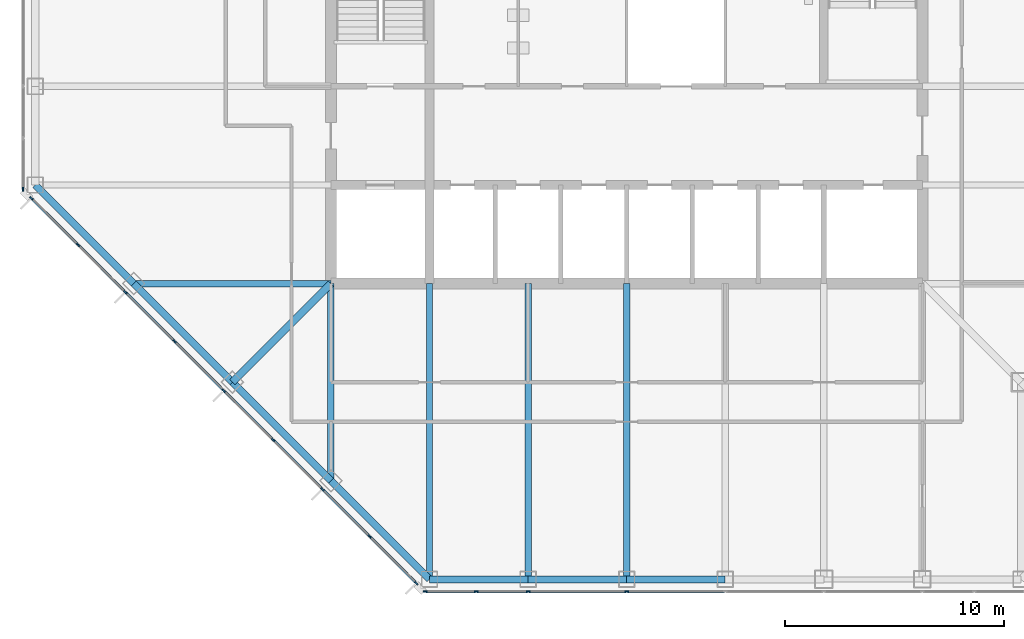
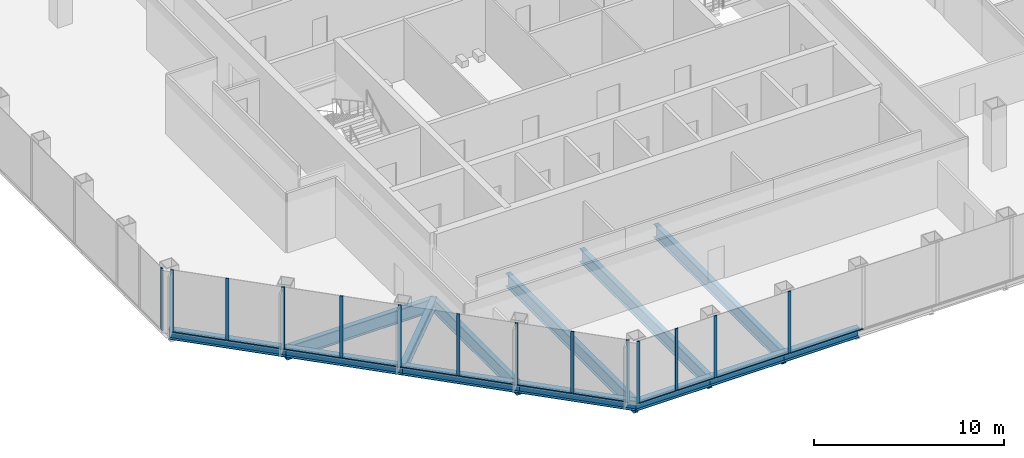
# One storey, part 2 of 12: 26 members, 13 beams, 3 elements without a shape of their own.
"""IFC4 building model written with IfcOpenShell, lengths in metres."""

from ifc_helpers import new_model, si_unit, direction, frame, origin, origin_2d, place, context, subcontext, project, spatial, rectangle, i_section, extrude, material, material_profile, profile_set, type_object, element, aggregate, save


model = new_model("IFC4")

# Units and contexts
model_context = context("Model", 3, precision=1e-05, world=origin(), true_north=direction((0.0, 1.0)))
body_context = subcontext(model_context, "Body", "Model", "MODEL_VIEW")
ifc_project = project(units=[si_unit("LENGTHUNIT", "METRE"), si_unit("AREAUNIT", "SQUARE_METRE"), si_unit("VOLUMEUNIT", "CUBIC_METRE"), si_unit("PLANEANGLEUNIT", "RADIAN"), si_unit("MASSUNIT", "GRAM", prefix="KILO")], contexts=[model_context])

# Site, building, storey
site_placement = place(None, origin())
site = spatial("IfcSite", under=ifc_project, at=site_placement, CompositionType="ELEMENT")
building_placement = place(site_placement, origin())
building = spatial("IfcBuilding", under=site, at=building_placement, Name="Corais Broadcast Tower", CompositionType="ELEMENT")
storey_placement = place(building_placement, frame((0.0, 0.0, 139.60009765625)))
storey = spatial("IfcBuildingStorey", under=building, at=storey_placement, Name="L31", CompositionType="ELEMENT", Elevation=139.60009765625)

# Beams
ifc_material_1 = material(Name="Steel ASTM A572 Grade 50", Category="steel")
ifc_material_profile_1 = material_profile(ifc_material_1, i_section(OverallWidth=0.323974609375, OverallDepth=0.611083984375, WebThickness=0.0126953125, FlangeThickness=0.01904296875, at=origin_2d()), Name="W610x155")
ifc_profile_set_1 = profile_set([ifc_material_profile_1], Name="Steel ASTM A572 Grade 50")
beam_type_1 = type_object("IfcBeamType", Name="Corner diagonal W610x155", PredefinedType="BEAM", material=ifc_profile_set_1)
beam_1_placement = place(storey_placement, frame((9.0, 9.0, -0.465576171875), z_axis=(0.707106781187, 0.707106781187, 0.0), x_axis=(-0.707106781187, 0.707106781187, 0.0)))
element("IfcBeam", 1, at=beam_1_placement, inside=storey, type_object=beam_type_1, Name="B6 C/5 to D/6", PredefinedType="BEAM", context=body_context, shape_type="SweptSolid", body=[
    extrude(i_section(OverallWidth=0.323974609375, OverallDepth=0.611083984375, WebThickness=0.0126953125, FlangeThickness=0.01904296875, at=origin_2d()), origin(), (0.0, 0.0, 1.0), 6.364013671875),
])
ifc_material_2 = material(Name="Steel ASTM A572 Grade 50", Category="steel")
ifc_material_profile_2 = material_profile(ifc_material_2, i_section(OverallWidth=0.2939453125, OverallDepth=0.85107421875, WebThickness=0.01611328125, FlangeThickness=0.02685546875, at=origin_2d()), Name="W840x226")
ifc_profile_set_2 = profile_set([ifc_material_profile_2], Name="Steel ASTM A572 Grade 50")
beam_type_2 = type_object("IfcBeamType", Name="Floor beam W840x226", PredefinedType="BEAM", material=ifc_profile_set_2)
beam_2_placement = place(storey_placement, frame((13.5, 4.5, -0.585693359375), z_axis=(0.0, 1.0, 0.0), x_axis=(-1.0, 0.0, 0.0)))
element("IfcBeam", 2, at=beam_2_placement, inside=storey, type_object=beam_type_2, Name="B1 B/6 to D/6", PredefinedType="BEAM", context=body_context, shape_type="SweptSolid", body=[
    extrude(i_section(OverallWidth=0.2939453125, OverallDepth=0.85107421875, WebThickness=0.01611328125, FlangeThickness=0.02685546875, at=origin_2d()), origin(), (0.0, 0.0, 1.0), 9.0),
])
for number, where, z_axis, x_axis, name in (
    (3, (18.0, 0.0, -0.585693359375), (0.0, 1.0, 0.0), (-1.0, 0.0, 0.0), "B1 A/7 to D/7"),
    (4, (22.5, 0.0, -0.585693359375), (0.0, 1.0, 0.0), (-1.0, 0.0, 0.0), "B1 A/8 to D/8"),
    (5, (27.0, 0.0, -0.585693359375), (0.0, 1.0, 0.0), (-1.0, 0.0, 0.0), "B1 A/9 to D/9"),
):
    element("IfcBeam", number, at=place(storey_placement, frame(where, z_axis=z_axis, x_axis=x_axis)), inside=storey, type_object=beam_type_2, Name=name, PredefinedType="BEAM", context=body_context, shape_type="SweptSolid", body=[
        extrude(i_section(OverallWidth=0.2939453125, OverallDepth=0.85107421875, WebThickness=0.01611328125, FlangeThickness=0.02685546875, at=origin_2d()), origin(), (0.0, 0.0, 1.0), 13.5),
    ])
beam_3_placement = place(storey_placement, frame((4.5, 13.5, -0.585693359375), z_axis=(1.0, 0.0, 0.0), x_axis=(0.0, 1.0, 0.0)))
element("IfcBeam", 6, at=beam_3_placement, inside=storey, type_object=beam_type_2, Name="B1 D/4 to D/6", PredefinedType="BEAM", context=body_context, shape_type="SweptSolid", body=[
    extrude(i_section(OverallWidth=0.2939453125, OverallDepth=0.85107421875, WebThickness=0.01611328125, FlangeThickness=0.02685546875, at=origin_2d()), origin(), (0.0, 0.0, 1.0), 9.0),
])

# Curtain wall, members
ifc_material_3 = material(Name="Aluminium and glass", Category="aluminium")
curtain_wall_type = type_object("IfcCurtainWallType", Name="Unitised fritted curtain wall CW2", PredefinedType="NOTDEFINED", material=ifc_material_3)
curtain_wall_1_placement = place(storey_placement, origin())
curtain_wall_1 = element("IfcCurtainWall", 7, at=curtain_wall_1_placement, inside=storey, type_object=curtain_wall_type, Name="CW2 curtain wall L31 1", PredefinedType="NOTDEFINED")
ifc_material_4 = material(Name="Aluminium 6063-T6", Category="aluminium")
ifc_material_profile_3 = material_profile(ifc_material_4, rectangle(XDim=0.06494140625, YDim=0.179931640625, at=origin_2d()), Name="Mullion CW2 65x180")
ifc_profile_set_3 = profile_set([ifc_material_profile_3], Name="Aluminium 6063-T6")
member_type_1 = type_object("IfcMemberType", Name="Mullion CW2 65x180", PredefinedType="MULLION", material=ifc_profile_set_3)
member_1_placement = place(storey_placement, frame((17.3955078125, -0.17333984375, 0.0), z_axis=(0.0, 0.0, 1.0), x_axis=(-0.707106781187, -0.707106781187, 0.0)))
member_1 = element("IfcMember", 8, at=member_1_placement, type_object=member_type_1, Name="CW2 mullion 1", PredefinedType="MULLION", context=body_context, shape_type="SweptSolid", body=[
    extrude(rectangle(XDim=0.06494140625, YDim=0.179931640625, at=origin_2d()), origin(), (0.0, 0.0, 1.0), 4.0),
])
member_2_placement = place(storey_placement, frame((15.264892578125, 1.957275390625, 0.0), z_axis=(0.0, 0.0, 1.0), x_axis=(-0.707106781187, -0.707106781187, 0.0)))
member_2 = element("IfcMember", 9, at=member_2_placement, type_object=member_type_1, Name="CW2 mullion 2", PredefinedType="MULLION", context=body_context, shape_type="SweptSolid", body=[
    extrude(rectangle(XDim=0.06494140625, YDim=0.179931640625, at=origin_2d()), origin(), (0.0, 0.0, 1.0), 4.0),
])
member_3_placement = place(storey_placement, frame((13.111083984375, 4.111083984375, 0.0), z_axis=(0.0, 0.0, 1.0), x_axis=(-0.707106781187, -0.707106781187, 0.0)))
member_3 = element("IfcMember", 10, at=member_3_placement, type_object=member_type_1, Name="CW2 mullion 3", PredefinedType="MULLION", context=body_context, shape_type="SweptSolid", body=[
    extrude(rectangle(XDim=0.06494140625, YDim=0.179931640625, at=origin_2d()), origin(), (0.0, 0.0, 1.0), 4.0),
])
member_4_placement = place(storey_placement, frame((10.861083984375, 6.361083984375, 0.0), z_axis=(0.0, 0.0, 1.0), x_axis=(-0.707106781187, -0.707106781187, 0.0)))
member_4 = element("IfcMember", 11, at=member_4_placement, type_object=member_type_1, Name="CW2 mullion 4", PredefinedType="MULLION", context=body_context, shape_type="SweptSolid", body=[
    extrude(rectangle(XDim=0.06494140625, YDim=0.179931640625, at=origin_2d()), origin(), (0.0, 0.0, 1.0), 4.0),
])
member_5_placement = place(storey_placement, frame((8.611083984375, 8.611083984375, 0.0), z_axis=(0.0, 0.0, 1.0), x_axis=(-0.707106781187, -0.707106781187, 0.0)))
member_5 = element("IfcMember", 12, at=member_5_placement, type_object=member_type_1, Name="CW2 mullion 5", PredefinedType="MULLION", context=body_context, shape_type="SweptSolid", body=[
    extrude(rectangle(XDim=0.06494140625, YDim=0.179931640625, at=origin_2d()), origin(), (0.0, 0.0, 1.0), 4.0),
])
member_6_placement = place(storey_placement, frame((6.361083984375, 10.861083984375, 0.0), z_axis=(0.0, 0.0, 1.0), x_axis=(-0.707106781187, -0.707106781187, 0.0)))
member_6 = element("IfcMember", 13, at=member_6_placement, type_object=member_type_1, Name="CW2 mullion 6", PredefinedType="MULLION", context=body_context, shape_type="SweptSolid", body=[
    extrude(rectangle(XDim=0.06494140625, YDim=0.179931640625, at=origin_2d()), origin(), (0.0, 0.0, 1.0), 4.0),
])
member_7_placement = place(storey_placement, frame((4.111083984375, 13.111083984375, 0.0), z_axis=(0.0, 0.0, 1.0), x_axis=(-0.707106781187, -0.707106781187, 0.0)))
member_7 = element("IfcMember", 14, at=member_7_placement, type_object=member_type_1, Name="CW2 mullion 7", PredefinedType="MULLION", context=body_context, shape_type="SweptSolid", body=[
    extrude(rectangle(XDim=0.06494140625, YDim=0.179931640625, at=origin_2d()), origin(), (0.0, 0.0, 1.0), 4.0),
])
member_8_placement = place(storey_placement, frame((1.957275390625, 15.264892578125, 0.0), z_axis=(0.0, 0.0, 1.0), x_axis=(-0.707106781187, -0.707106781187, 0.0)))
member_8 = element("IfcMember", 15, at=member_8_placement, type_object=member_type_1, Name="CW2 mullion 8", PredefinedType="MULLION", context=body_context, shape_type="SweptSolid", body=[
    extrude(rectangle(XDim=0.06494140625, YDim=0.179931640625, at=origin_2d()), origin(), (0.0, 0.0, 1.0), 4.0),
])
member_9_placement = place(storey_placement, frame((-0.17333984375, 17.3955078125, 0.0), z_axis=(0.0, 0.0, 1.0), x_axis=(-0.707106781187, -0.707106781187, 0.0)))
member_9 = element("IfcMember", 16, at=member_9_placement, type_object=member_type_1, Name="CW2 mullion 9", PredefinedType="MULLION", context=body_context, shape_type="SweptSolid", body=[
    extrude(rectangle(XDim=0.06494140625, YDim=0.179931640625, at=origin_2d()), origin(), (0.0, 0.0, 1.0), 4.0),
])

# Curtain wall, member
curtain_wall_2_placement = place(storey_placement, origin())
curtain_wall_2 = element("IfcCurtainWall", 17, at=curtain_wall_2_placement, inside=storey, type_object=curtain_wall_type, Name="CW2 curtain wall L31 2", PredefinedType="NOTDEFINED")
member_10_placement = place(storey_placement, frame((-0.550048828125, 17.8046875, 0.0), z_axis=(0.0, 0.0, 1.0), x_axis=(-1.0, 0.0, 0.0)))
member_10 = element("IfcMember", 18, at=member_10_placement, type_object=member_type_1, Name="CW2 mullion 1", PredefinedType="MULLION", context=body_context, shape_type="SweptSolid", body=[
    extrude(rectangle(XDim=0.06494140625, YDim=0.179931640625, at=origin_2d()), origin(), (0.0, 0.0, 1.0), 4.0),
])
aggregate(curtain_wall_2, [member_10])

# Curtain wall, members
curtain_wall_3_placement = place(storey_placement, origin())
curtain_wall_3 = element("IfcCurtainWall", 19, at=curtain_wall_3_placement, inside=storey, type_object=curtain_wall_type, Name="CW2 curtain wall L31 8", PredefinedType="NOTDEFINED")
member_11_placement = place(storey_placement, frame((27.0, -0.550048828125, 0.0), z_axis=(0.0, 0.0, 1.0), x_axis=(0.0, -1.0, 0.0)))
member_11 = element("IfcMember", 20, at=member_11_placement, type_object=member_type_1, Name="CW2 mullion 6", PredefinedType="MULLION", context=body_context, shape_type="SweptSolid", body=[
    extrude(rectangle(XDim=0.06494140625, YDim=0.179931640625, at=origin_2d()), origin(), (0.0, 0.0, 1.0), 4.0),
])
member_12_placement = place(storey_placement, frame((22.5, -0.550048828125, 0.0), z_axis=(0.0, 0.0, 1.0), x_axis=(0.0, -1.0, 0.0)))
member_12 = element("IfcMember", 21, at=member_12_placement, type_object=member_type_1, Name="CW2 mullion 7", PredefinedType="MULLION", context=body_context, shape_type="SweptSolid", body=[
    extrude(rectangle(XDim=0.06494140625, YDim=0.179931640625, at=origin_2d()), origin(), (0.0, 0.0, 1.0), 4.0),
])
member_13_placement = place(storey_placement, frame((20.135986328125, -0.550048828125, 0.0), z_axis=(0.0, 0.0, 1.0), x_axis=(0.0, -1.0, 0.0)))
member_13 = element("IfcMember", 22, at=member_13_placement, type_object=member_type_1, Name="CW2 mullion 8", PredefinedType="MULLION", context=body_context, shape_type="SweptSolid", body=[
    extrude(rectangle(XDim=0.06494140625, YDim=0.179931640625, at=origin_2d()), origin(), (0.0, 0.0, 1.0), 4.0),
])
member_14_placement = place(storey_placement, frame((17.8046875, -0.550048828125, 0.0), z_axis=(0.0, 0.0, 1.0), x_axis=(0.0, -1.0, 0.0)))
member_14 = element("IfcMember", 23, at=member_14_placement, type_object=member_type_1, Name="CW2 mullion 9", PredefinedType="MULLION", context=body_context, shape_type="SweptSolid", body=[
    extrude(rectangle(XDim=0.06494140625, YDim=0.179931640625, at=origin_2d()), origin(), (0.0, 0.0, 1.0), 4.0),
])

# Beams
ifc_material_5 = material(Name="Steel ASTM A572 Grade 50", Category="steel")
ifc_material_profile_4 = material_profile(ifc_material_5, i_section(OverallWidth=0.3291015625, OverallDepth=0.635009765625, WebThickness=0.017822265625, FlangeThickness=0.031005859375, at=origin_2d()), Name="W610x241")
ifc_profile_set_4 = profile_set([ifc_material_profile_4], Name="Steel ASTM A572 Grade 50")
beam_type_3 = type_object("IfcBeamType", Name="Spandrel W610x241", PredefinedType="BEAM", material=ifc_profile_set_4)
for number, where, z_axis, x_axis, name in (
    (24, (0.0, 18.0, -0.4775390625), (0.707106781187, -0.707106781187, 0.0), (0.707106781187, 0.707106781187, 0.0), "SB1 E/3 to D/4"),
    (25, (13.5, 4.5, -0.4775390625), (0.707106781187, -0.707106781187, 0.0), (0.707106781187, 0.707106781187, 0.0), "SB1 B/6 to A/7"),
):
    element("IfcBeam", number, at=place(storey_placement, frame(where, z_axis=z_axis, x_axis=x_axis)), inside=storey, type_object=beam_type_3, Name=name, PredefinedType="BEAM", context=body_context, shape_type="SweptSolid", body=[
        extrude(i_section(OverallWidth=0.3291015625, OverallDepth=0.635009765625, WebThickness=0.017822265625, FlangeThickness=0.031005859375, at=origin_2d()), origin(), (0.0, 0.0, 1.0), 6.364013671875),
    ])
for number, where, z_axis, x_axis, name in (
    (26, (18.0, 0.0, -0.4775390625), (1.0, 0.0, 0.0), (0.0, 1.0, 0.0), "SB1 A/7 to A/8"),
    (27, (22.5, 0.0, -0.4775390625), (1.0, 0.0, 0.0), (0.0, 1.0, 0.0), "SB1 A/8 to A/9"),
    (28, (27.0, 0.0, -0.4775390625), (1.0, 0.0, 0.0), (0.0, 1.0, 0.0), "SB1 A/9 to A/10"),
):
    element("IfcBeam", number, at=place(storey_placement, frame(where, z_axis=z_axis, x_axis=x_axis)), inside=storey, type_object=beam_type_3, Name=name, PredefinedType="BEAM", context=body_context, shape_type="SweptSolid", body=[
        extrude(i_section(OverallWidth=0.3291015625, OverallDepth=0.635009765625, WebThickness=0.017822265625, FlangeThickness=0.031005859375, at=origin_2d()), origin(), (0.0, 0.0, 1.0), 4.5),
    ])
for number, where, z_axis, x_axis, name in (
    (29, (4.5, 13.5, -0.4775390625), (0.707106781187, -0.707106781187, 0.0), (0.707106781187, 0.707106781187, 0.0), "SB1 D/4 to C/5"),
    (30, (9.0, 9.0, -0.4775390625), (0.707106781187, -0.707106781187, 0.0), (0.707106781187, 0.707106781187, 0.0), "SB1 C/5 to B/6"),
):
    element("IfcBeam", number, at=place(storey_placement, frame(where, z_axis=z_axis, x_axis=x_axis)), inside=storey, type_object=beam_type_3, Name=name, PredefinedType="BEAM", context=body_context, shape_type="SweptSolid", body=[
        extrude(i_section(OverallWidth=0.3291015625, OverallDepth=0.635009765625, WebThickness=0.017822265625, FlangeThickness=0.031005859375, at=origin_2d()), origin(), (0.0, 0.0, 1.0), 6.364013671875),
    ])

# Member
ifc_material_6 = material(Name="Aluminium 6063-T6", Category="aluminium")
ifc_material_profile_5 = material_profile(ifc_material_6, rectangle(XDim=0.1298828125, YDim=0.06494140625, at=origin_2d()), Name="Transom CW2 65x130")
ifc_profile_set_5 = profile_set([ifc_material_profile_5], Name="Aluminium 6063-T6")
member_type_2 = type_object("IfcMemberType", Name="Transom CW2 65x130", PredefinedType="USERDEFINED", material=ifc_profile_set_5)
member_15_placement = place(storey_placement, frame((17.37255859375, -0.150390625, 0.032470703125), z_axis=(-0.707106781187, 0.707106781187, 0.0), x_axis=(-0.707106781187, -0.707106781187, 0.0)))
member_15 = element("IfcMember", 31, at=member_15_placement, type_object=member_type_2, Name="CW2 transom 1.1", ObjectType="TRANSOM", PredefinedType="USERDEFINED", context=body_context, shape_type="SweptSolid", body=[
    extrude(rectangle(XDim=0.1298828125, YDim=0.06494140625, at=origin_2d()), origin(), (0.0, 0.0, 1.0), 2.9482421875),
])

member_16_placement = place(storey_placement, frame((15.241943359375, 1.980224609375, 0.032470703125), z_axis=(-0.707106781187, 0.707106781187, 0.0), x_axis=(-0.707106781187, -0.707106781187, 0.0)))
member_16 = element("IfcMember", 32, at=member_16_placement, type_object=member_type_2, Name="CW2 transom 2.1", ObjectType="TRANSOM", PredefinedType="USERDEFINED", context=body_context, shape_type="SweptSolid", body=[
    extrude(rectangle(XDim=0.1298828125, YDim=0.06494140625, at=origin_2d()), origin(), (0.0, 0.0, 1.0), 2.98095703125),
])

member_17_placement = place(storey_placement, frame((13.088134765625, 4.134033203125, 0.032470703125), z_axis=(-0.707106781187, 0.707106781187, 0.0), x_axis=(-0.707106781187, -0.707106781187, 0.0)))
member_17 = element("IfcMember", 33, at=member_17_placement, type_object=member_type_2, Name="CW2 transom 3.1", ObjectType="TRANSOM", PredefinedType="USERDEFINED", context=body_context, shape_type="SweptSolid", body=[
    extrude(rectangle(XDim=0.1298828125, YDim=0.06494140625, at=origin_2d()), origin(), (0.0, 0.0, 1.0), 3.1171875),
])

member_18_placement = place(storey_placement, frame((10.838134765625, 6.384033203125, 0.032470703125), z_axis=(-0.707106781187, 0.707106781187, 0.0), x_axis=(-0.707106781187, -0.707106781187, 0.0)))
member_18 = element("IfcMember", 34, at=member_18_placement, type_object=member_type_2, Name="CW2 transom 4.1", ObjectType="TRANSOM", PredefinedType="USERDEFINED", context=body_context, shape_type="SweptSolid", body=[
    extrude(rectangle(XDim=0.1298828125, YDim=0.06494140625, at=origin_2d()), origin(), (0.0, 0.0, 1.0), 3.1171875),
])

member_19_placement = place(storey_placement, frame((8.588134765625, 8.634033203125, 0.032470703125), z_axis=(-0.707106781187, 0.707106781187, 0.0), x_axis=(-0.707106781187, -0.707106781187, 0.0)))
member_19 = element("IfcMember", 35, at=member_19_placement, type_object=member_type_2, Name="CW2 transom 5.1", ObjectType="TRANSOM", PredefinedType="USERDEFINED", context=body_context, shape_type="SweptSolid", body=[
    extrude(rectangle(XDim=0.1298828125, YDim=0.06494140625, at=origin_2d()), origin(), (0.0, 0.0, 1.0), 3.1171875),
])

member_20_placement = place(storey_placement, frame((6.338134765625, 10.884033203125, 0.032470703125), z_axis=(-0.707106781187, 0.707106781187, 0.0), x_axis=(-0.707106781187, -0.707106781187, 0.0)))
member_20 = element("IfcMember", 36, at=member_20_placement, type_object=member_type_2, Name="CW2 transom 6.1", ObjectType="TRANSOM", PredefinedType="USERDEFINED", context=body_context, shape_type="SweptSolid", body=[
    extrude(rectangle(XDim=0.1298828125, YDim=0.06494140625, at=origin_2d()), origin(), (0.0, 0.0, 1.0), 3.1171875),
])

member_21_placement = place(storey_placement, frame((4.088134765625, 13.134033203125, 0.032470703125), z_axis=(-0.707065828661, 0.70714773134, 0.0), x_axis=(-0.70714773134, -0.707065828661, 0.0)))
member_21 = element("IfcMember", 37, at=member_21_placement, type_object=member_type_2, Name="CW2 transom 7.1", ObjectType="TRANSOM", PredefinedType="USERDEFINED", context=body_context, shape_type="SweptSolid", body=[
    extrude(rectangle(XDim=0.1298828125, YDim=0.06494140625, at=origin_2d()), origin(), (0.0, 0.0, 1.0), 2.98095703125),
])

member_22_placement = place(storey_placement, frame((1.934326171875, 15.287841796875, 0.032470703125), z_axis=(-0.707106781187, 0.707106781187, 0.0), x_axis=(-0.707106781187, -0.707106781187, 0.0)))
member_22 = element("IfcMember", 38, at=member_22_placement, type_object=member_type_2, Name="CW2 transom 8.1", ObjectType="TRANSOM", PredefinedType="USERDEFINED", context=body_context, shape_type="SweptSolid", body=[
    extrude(rectangle(XDim=0.1298828125, YDim=0.06494140625, at=origin_2d()), origin(), (0.0, 0.0, 1.0), 2.9482421875),
])

aggregate(curtain_wall_1, [member_1, member_2, member_3, member_4, member_5, member_6, member_7, member_8, member_9, member_15, member_16, member_17, member_18, member_19, member_20, member_21, member_22])

member_23_placement = place(storey_placement, frame((31.467529296875, -0.550048828125, 0.032470703125), z_axis=(-1.0, 0.0, 0.0), x_axis=(0.0, -1.0, 0.0)))
member_23 = element("IfcMember", 39, at=member_23_placement, type_object=member_type_2, Name="CW2 transom 5.1", ObjectType="TRANSOM", PredefinedType="USERDEFINED", context=body_context, shape_type="SweptSolid", body=[
    extrude(rectangle(XDim=0.1298828125, YDim=0.06494140625, at=origin_2d()), origin(), (0.0, 0.0, 1.0), 4.43505859375),
])

member_24_placement = place(storey_placement, frame((26.967529296875, -0.550048828125, 0.032470703125), z_axis=(-1.0, 0.0, 0.0), x_axis=(0.0, -1.0, 0.0)))
member_24 = element("IfcMember", 40, at=member_24_placement, type_object=member_type_2, Name="CW2 transom 6.1", ObjectType="TRANSOM", PredefinedType="USERDEFINED", context=body_context, shape_type="SweptSolid", body=[
    extrude(rectangle(XDim=0.1298828125, YDim=0.06494140625, at=origin_2d()), origin(), (0.0, 0.0, 1.0), 4.43505859375),
])

member_25_placement = place(storey_placement, frame((22.467529296875, -0.550048828125, 0.032470703125), z_axis=(-1.0, 0.0, 0.0), x_axis=(0.0, -1.0, 0.0)))
member_25 = element("IfcMember", 41, at=member_25_placement, type_object=member_type_2, Name="CW2 transom 7.1", ObjectType="TRANSOM", PredefinedType="USERDEFINED", context=body_context, shape_type="SweptSolid", body=[
    extrude(rectangle(XDim=0.1298828125, YDim=0.06494140625, at=origin_2d()), origin(), (0.0, 0.0, 1.0), 2.298828125),
])

member_26_placement = place(storey_placement, frame((20.103515625, -0.550048828125, 0.032470703125), z_axis=(-1.0, 0.0, 0.0), x_axis=(0.0, -1.0, 0.0)))
member_26 = element("IfcMember", 42, at=member_26_placement, type_object=member_type_2, Name="CW2 transom 8.1", ObjectType="TRANSOM", PredefinedType="USERDEFINED", context=body_context, shape_type="SweptSolid", body=[
    extrude(rectangle(XDim=0.1298828125, YDim=0.06494140625, at=origin_2d()), origin(), (0.0, 0.0, 1.0), 2.266357421875),
])

aggregate(curtain_wall_3, [member_11, member_12, member_13, member_14, member_23, member_24, member_25, member_26])

save(model, "model.ifc")
